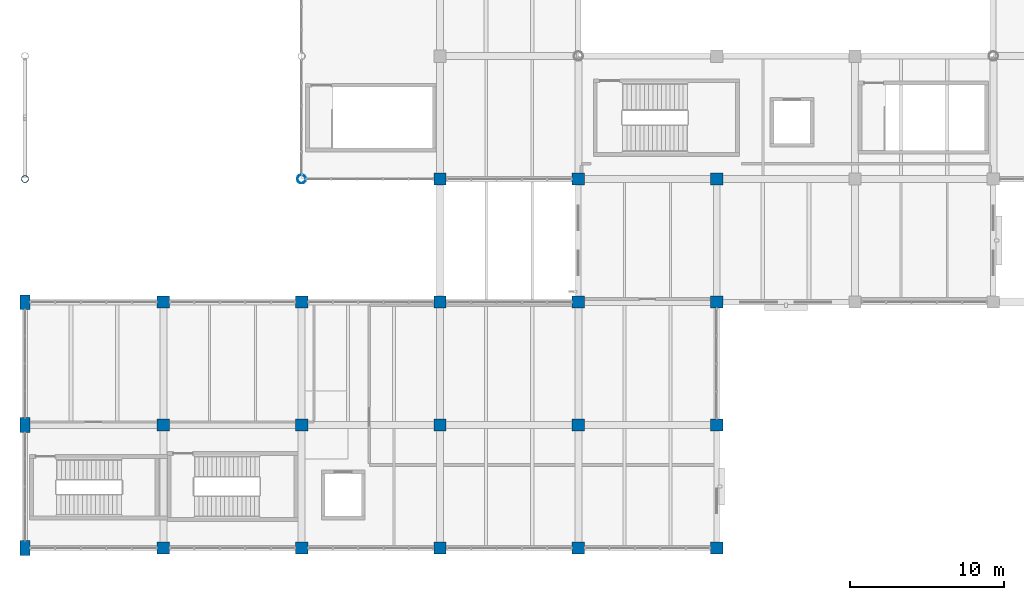
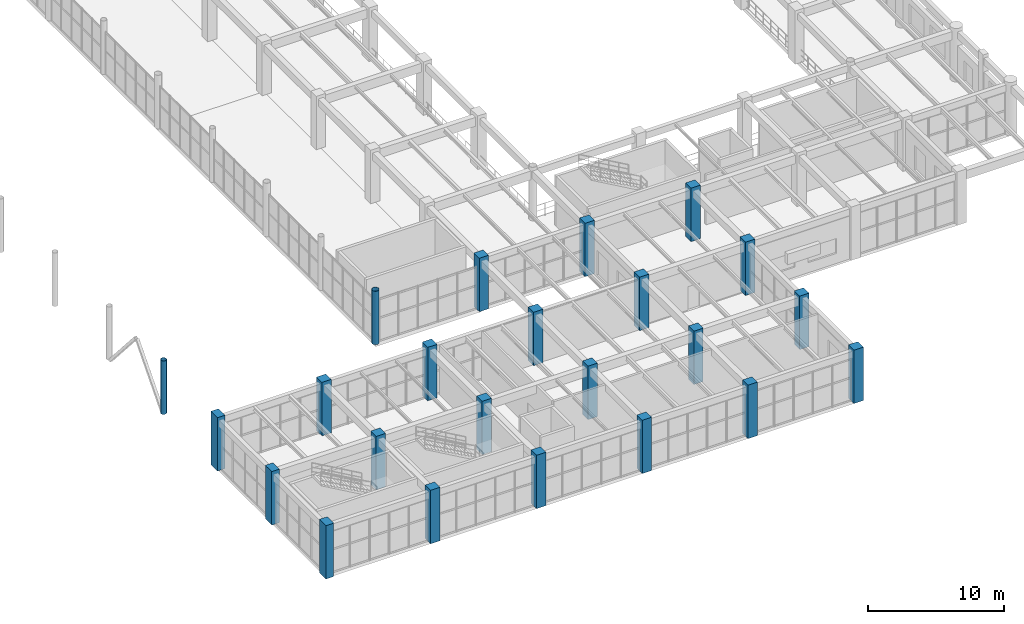
# One storey, part 1 of 178: 23 columns.
"""IFC4 building model written with IfcOpenShell, lengths in metres."""

from ifc_helpers import new_model, si_unit, derived_unit, direction, frame, origin, origin_2d, place, context, subcontext, project, spatial, rectangle, hollow_circle, extrude, material, material_profile, profile_set, type_object, element, save


model = new_model("IFC4")

# Units and contexts
model_context = context("Model", 3, precision=1e-05, world=origin(), true_north=direction((0.0, 1.0)))
body_context = subcontext(model_context, "Body", "Model", "MODEL_VIEW")
ifc_project = project(units=[si_unit("LENGTHUNIT", "METRE"), si_unit("AREAUNIT", "SQUARE_METRE"), si_unit("VOLUMEUNIT", "CUBIC_METRE"), si_unit("PLANEANGLEUNIT", "RADIAN"), si_unit("MASSUNIT", "GRAM", prefix="KILO"), derived_unit("THERMALTRANSMITTANCEUNIT", [(si_unit("MASSUNIT", "GRAM", prefix="KILO"), 1), (si_unit("TIMEUNIT", "SECOND"), -3), (si_unit("THERMODYNAMICTEMPERATUREUNIT", "KELVIN"), -1)])], contexts=[model_context])

# Site, building, storey
site_placement = place(None, origin())
site = spatial("IfcSite", under=ifc_project, at=site_placement, CompositionType="ELEMENT")
building_placement = place(site_placement, origin())
building = spatial("IfcBuilding", under=site, at=building_placement, Name="Zhenchuan Archway Interchange", CompositionType="ELEMENT")
storey_placement = place(building_placement, frame((0.0, 0.0, 5.39990234375)))
storey = spatial("IfcBuildingStorey", under=building, at=storey_placement, Name="L01", CompositionType="ELEMENT", Elevation=5.39990234375)

# Columns
ifc_material_1 = material(Name="Concrete C40", Category="concrete")
ifc_material_profile_1 = material_profile(ifc_material_1, rectangle(XDim=0.64990234375, YDim=0.949951171875, at=origin_2d()), Name="RC 650x950")
ifc_profile_set_1 = profile_set([ifc_material_profile_1], Name="Concrete C40")
column_type_1 = type_object("IfcColumnType", Name="COL_RC_650x950", PredefinedType="COLUMN", material=ifc_profile_set_1)
for number, where, z_axis, x_axis, name in (
    (1, (0.0, 0.0, 0.0), (0.0, 0.0, 1.0), (1.0, 0.0, 0.0), "Column 1/A (L01)"),
    (2, (0.0, 8.0, 0.0), (0.0, 0.0, 1.0), (1.0, 0.0, 0.0), "Column 1/B (L01)"),
    (3, (0.0, 16.0, 0.0), (0.0, 0.0, 1.0), (1.0, 0.0, 0.0), "Column 1/C (L01)"),
):
    element("IfcColumn", number, at=place(storey_placement, frame(where, z_axis=z_axis, x_axis=x_axis)), inside=storey, type_object=column_type_1, Name=name, PredefinedType="COLUMN", context=body_context, shape_type="SweptSolid", body=[
        extrude(rectangle(XDim=0.64990234375, YDim=0.949951171875, at=origin_2d()), origin(), (0.0, 0.0, 1.0), 4.800048828125),
    ])
ifc_material_profile_2 = material_profile(ifc_material_1, rectangle(XDim=0.800048828125, YDim=0.800048828125, at=origin_2d()), Name="RC 800x800")
ifc_profile_set_2 = profile_set([ifc_material_profile_2], Name="Concrete C40")
column_type_2 = type_object("IfcColumnType", Name="COL_RC_800", PredefinedType="COLUMN", material=ifc_profile_set_2)
for number, where, z_axis, x_axis, name in (
    (4, (9.0, 0.0, 0.0), (0.0, 0.0, 1.0), (1.0, 0.0, 0.0), "Column 2/A (L01)"),
    (5, (9.0, 8.0, 0.0), (0.0, 0.0, 1.0), (1.0, 0.0, 0.0), "Column 2/B (L01)"),
    (6, (9.0, 16.0, 0.0), (0.0, 0.0, 1.0), (1.0, 0.0, 0.0), "Column 2/C (L01)"),
    (7, (18.0, 0.0, 0.0), (0.0, 0.0, 1.0), (1.0, 0.0, 0.0), "Column 3/A (L01)"),
    (8, (18.0, 8.0, 0.0), (0.0, 0.0, 1.0), (1.0, 0.0, 0.0), "Column 3/B (L01)"),
    (9, (18.0, 16.0, 0.0), (0.0, 0.0, 1.0), (1.0, 0.0, 0.0), "Column 3/C (L01)"),
    (10, (27.0, 0.0, 0.0), (0.0, 0.0, 1.0), (1.0, 0.0, 0.0), "Column 4/A (L01)"),
    (11, (27.0, 8.0, 0.0), (0.0, 0.0, 1.0), (1.0, 0.0, 0.0), "Column 4/B (L01)"),
    (12, (27.0, 16.0, 0.0), (0.0, 0.0, 1.0), (1.0, 0.0, 0.0), "Column 4/C (L01)"),
    (13, (27.0, 24.0, 0.0), (0.0, 0.0, 1.0), (1.0, 0.0, 0.0), "Column 4/D (L01)"),
    (14, (36.0, 0.0, 0.0), (0.0, 0.0, 1.0), (1.0, 0.0, 0.0), "Column 5/A (L01)"),
    (15, (36.0, 8.0, 0.0), (0.0, 0.0, 1.0), (1.0, 0.0, 0.0), "Column 5/B (L01)"),
    (16, (36.0, 16.0, 0.0), (0.0, 0.0, 1.0), (1.0, 0.0, 0.0), "Column 5/C (L01)"),
    (17, (36.0, 24.0, 0.0), (0.0, 0.0, 1.0), (1.0, 0.0, 0.0), "Column 5/D (L01)"),
    (18, (45.0, 0.0, 0.0), (0.0, 0.0, 1.0), (1.0, 0.0, 0.0), "Column 6/A (L01)"),
    (19, (45.0, 8.0, 0.0), (0.0, 0.0, 1.0), (1.0, 0.0, 0.0), "Column 6/B (L01)"),
    (20, (45.0, 16.0, 0.0), (0.0, 0.0, 1.0), (1.0, 0.0, 0.0), "Column 6/C (L01)"),
    (21, (45.0, 24.0, 0.0), (0.0, 0.0, 1.0), (1.0, 0.0, 0.0), "Column 6/D (L01)"),
):
    element("IfcColumn", number, at=place(storey_placement, frame(where, z_axis=z_axis, x_axis=x_axis)), inside=storey, type_object=column_type_2, Name=name, PredefinedType="COLUMN", context=body_context, shape_type="SweptSolid", body=[
        extrude(rectangle(XDim=0.800048828125, YDim=0.800048828125, at=origin_2d()), origin(), (0.0, 0.0, 1.0), 4.800048828125),
    ])
ifc_material_2 = material(Name="Steel Q390", Category="steel")
ifc_material_profile_3 = material_profile(ifc_material_2, hollow_circle(Radius=0.228515625, WallThickness=0.01611328125, at=origin_2d()), Name="CHS 457x16")
ifc_profile_set_3 = profile_set([ifc_material_profile_3], Name="Steel Q390")
column_type_3 = type_object("IfcColumnType", Name="COL_STL_CHS457", PredefinedType="COLUMN", material=ifc_profile_set_3)
column_1_placement = place(storey_placement, frame((0.0, 24.0, 0.0), z_axis=(0.0, 0.0, 1.0), x_axis=(1.0, 0.0, 0.0)))
element("IfcColumn", 22, at=column_1_placement, inside=storey, type_object=column_type_3, Name="Column 1/D (L01)", PredefinedType="COLUMN", context=body_context, shape_type="SweptSolid", body=[
    extrude(hollow_circle(Radius=0.228515625, WallThickness=0.01611328125, at=origin_2d()), origin(), (0.0, 0.0, 1.0), 4.800048828125),
])
ifc_material_profile_4 = material_profile(ifc_material_2, hollow_circle(Radius=0.279541015625, WallThickness=0.01806640625, at=origin_2d()), Name="CHS 559x18")
ifc_profile_set_4 = profile_set([ifc_material_profile_4], Name="Steel Q390")
column_type_4 = type_object("IfcColumnType", Name="COL_STL_CHS559", PredefinedType="COLUMN", material=ifc_profile_set_4)
column_2_placement = place(storey_placement, frame((18.0, 24.0, 0.0), z_axis=(0.0, 0.0, 1.0), x_axis=(1.0, 0.0, 0.0)))
element("IfcColumn", 23, at=column_2_placement, inside=storey, type_object=column_type_4, Name="Column 3/D (L01)", PredefinedType="COLUMN", context=body_context, shape_type="SweptSolid", body=[
    extrude(hollow_circle(Radius=0.279541015625, WallThickness=0.01806640625, at=origin_2d()), origin(), (0.0, 0.0, 1.0), 4.800048828125),
])

save(model, "model.ifc")
